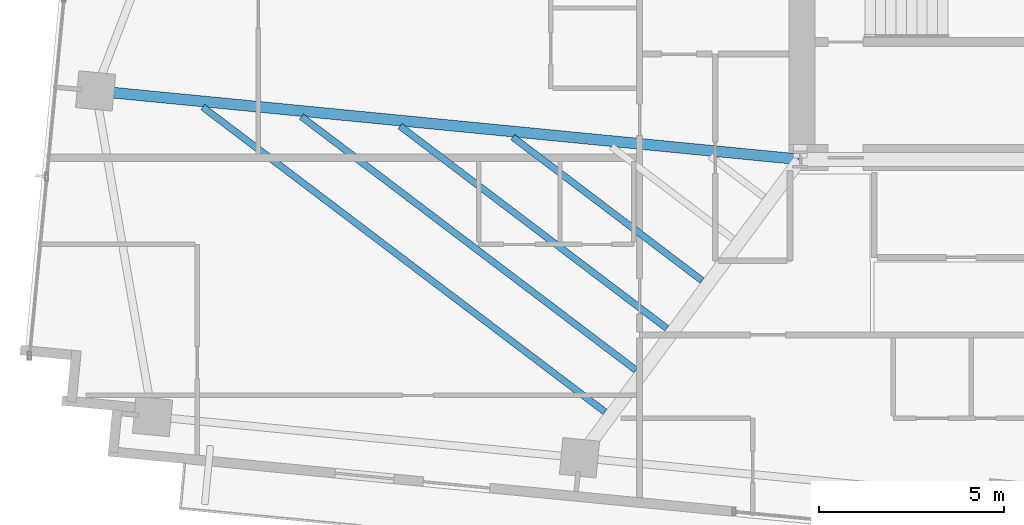
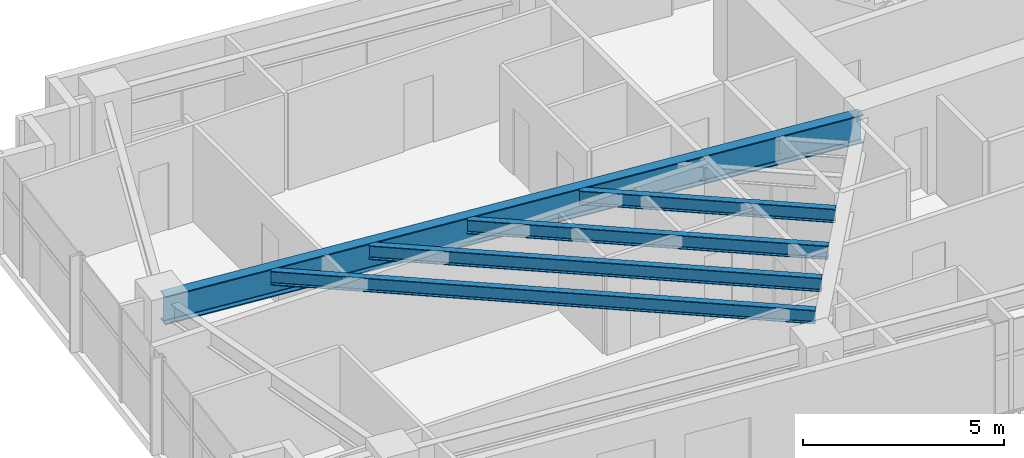
# One storey, part 3 of 20: 5 beams.
"""IFC4 building model written with IfcOpenShell, lengths in metres."""

from ifc_helpers import new_model, si_unit, direction, frame, origin, origin_2d, place, context, subcontext, project, spatial, i_section, extrude, source, transform, mapped, material, material_profile, profile_set, type_object, type_shapes, element, save


model = new_model("IFC4")

# Units and contexts
model_context = context("Model", 3, precision=1e-05, world=origin(), true_north=direction((0.0, 1.0)))
body_context = subcontext(model_context, "Body", "Model", "MODEL_VIEW")
ifc_project = project(units=[si_unit("LENGTHUNIT", "METRE"), si_unit("AREAUNIT", "SQUARE_METRE"), si_unit("VOLUMEUNIT", "CUBIC_METRE"), si_unit("PLANEANGLEUNIT", "RADIAN"), si_unit("MASSUNIT", "GRAM", prefix="KILO")], contexts=[model_context])

# Site, building, storey
site_placement = place(None, origin())
site = spatial("IfcSite", under=ifc_project, at=site_placement, CompositionType="ELEMENT")
building_placement = place(site_placement, origin())
building = spatial("IfcBuilding", under=site, at=building_placement, Name="Astriad Promenade Condominiums", CompositionType="ELEMENT")
storey_placement = place(building_placement, frame((0.0, 0.0, 131.0)))
storey = spatial("IfcBuildingStorey", under=building, at=storey_placement, Name="L37", CompositionType="ELEMENT", Elevation=131.0)

# Beams
ifc_material = material(Name="Steel ASTM A992 Grade 50", Category="steel")
ifc_material_profile_1 = material_profile(ifc_material, i_section(OverallWidth=0.2919921875, OverallDepth=0.85888671875, WebThickness=0.01708984375, FlangeThickness=0.031005859375, FilletRadius=0.02294921875, at=origin_2d()), Name="W33X169")
ifc_profile_set_1 = profile_set([ifc_material_profile_1], Name="Steel ASTM A992 Grade 50")
beam_type_1 = type_object("IfcBeamType", Name="STEEL PRIMARY GIRDER W33X169", PredefinedType="BEAM", material=ifc_profile_set_1)
shared_shape_1 = source(origin(), body_context, "Body", "SweptSolid", [
    extrude(i_section(OverallWidth=0.2919921875, OverallDepth=0.85888671875, WebThickness=0.01708984375, FlangeThickness=0.031005859375, FilletRadius=0.02294921875, at=origin_2d()), origin(), (0.0, 0.0, 1.0), 19.07177734375),
])
type_shapes(beam_type_1, [shared_shape_1])
beam_1_placement = place(storey_placement, frame((7.377685546875, 19.247802734375, 2.510498046875), z_axis=(0.995314830032, -0.096687068001, 0.0), x_axis=(0.096687068001, 0.995314830032, 0.0)))
element("IfcBeam", 1, at=beam_1_placement, inside=storey, type_object=beam_type_1, Name="Primary Floor Girder PG-WM-L37", PredefinedType="BEAM", context=body_context, shape_type="MappedRepresentation", body=[
    mapped(shared_shape_1, transform((0.0, 0.0, 0.0), scale=1.0)),
])
ifc_material_profile_2 = material_profile(ifc_material, i_section(OverallWidth=0.180908203125, OverallDepth=0.417236328125, WebThickness=0.010986328125, FlangeThickness=0.018310546875, FilletRadius=0.013916015625, at=origin_2d()), Name="W16X57")
ifc_profile_set_2 = profile_set([ifc_material_profile_2], Name="Steel ASTM A992 Grade 50")
beam_type_2 = type_object("IfcBeamType", Name="STEEL FLOOR JOIST W16X57", PredefinedType="JOIST", material=ifc_profile_set_2)
shared_shape_2 = source(origin(), body_context, "Body", "SweptSolid", [
    extrude(i_section(OverallWidth=0.180908203125, OverallDepth=0.417236328125, WebThickness=0.010986328125, FlangeThickness=0.018310546875, FilletRadius=0.013916015625, at=origin_2d()), origin(), (0.0, 0.0, 1.0), 13.64697265625),
])
beam_2_placement = place(storey_placement, frame((10.236572265625, 18.818115234375, 2.731201171875), z_axis=(0.796973667543, -0.604014050534, 0.0), x_axis=(0.604014050534, 0.796973667543, 0.0)))
element("IfcBeam", 2, at=beam_2_placement, inside=storey, type_object=beam_type_2, Name="Secondary Composite Floor Joist JW1-1-L37", PredefinedType="JOIST", context=body_context, shape_type="MappedRepresentation", body=[
    mapped(shared_shape_2, transform((0.0, 0.0, 0.0), scale=1.0)),
])
shared_shape_3 = source(origin(), body_context, "Body", "SweptSolid", [
    extrude(i_section(OverallWidth=0.180908203125, OverallDepth=0.417236328125, WebThickness=0.010986328125, FlangeThickness=0.018310546875, FilletRadius=0.013916015625, at=origin_2d()), origin(), (0.0, 0.0, 1.0), 11.347412109375),
])
beam_3_placement = place(storey_placement, frame((12.9052734375, 18.558837890625, 2.731201171875), z_axis=(0.796976964849, -0.60400969984, 0.0), x_axis=(0.60400969984, 0.796976964849, 0.0)))
element("IfcBeam", 3, at=beam_3_placement, inside=storey, type_object=beam_type_2, Name="Secondary Composite Floor Joist JW1-2-L37", PredefinedType="JOIST", context=body_context, shape_type="MappedRepresentation", body=[
    mapped(shared_shape_3, transform((0.0, 0.0, 0.0), scale=1.0)),
])
shared_shape_4 = source(origin(), body_context, "Body", "SweptSolid", [
    extrude(i_section(OverallWidth=0.180908203125, OverallDepth=0.417236328125, WebThickness=0.010986328125, FlangeThickness=0.018310546875, FilletRadius=0.013916015625, at=origin_2d()), origin(), (0.0, 0.0, 1.0), 9.048095703125),
])
beam_4_placement = place(storey_placement, frame((15.573974609375, 18.299560546875, 2.731201171875), z_axis=(0.796981937997, -0.604003137829, 0.0), x_axis=(0.604003137829, 0.796981937997, 0.0)))
element("IfcBeam", 4, at=beam_4_placement, inside=storey, type_object=beam_type_2, Name="Secondary Composite Floor Joist JW1-3-L37", PredefinedType="JOIST", context=body_context, shape_type="MappedRepresentation", body=[
    mapped(shared_shape_4, transform((0.0, 0.0, 0.0), scale=1.0)),
])
shared_shape_5 = source(origin(), body_context, "Body", "SweptSolid", [
    extrude(i_section(OverallWidth=0.180908203125, OverallDepth=0.417236328125, WebThickness=0.010986328125, FlangeThickness=0.018310546875, FilletRadius=0.013916015625, at=origin_2d()), origin(), (0.0, 0.0, 1.0), 6.420654296875),
])
type_shapes(beam_type_2, [shared_shape_2, shared_shape_3, shared_shape_4, shared_shape_5])
beam_5_placement = place(storey_placement, frame((18.6240234375, 18.00341796875, 2.731201171875), z_axis=(0.796964567146, -0.604026057976, 0.0), x_axis=(0.604026057976, 0.796964567146, 0.0)))
element("IfcBeam", 5, at=beam_5_placement, inside=storey, type_object=beam_type_2, Name="Secondary Composite Floor Joist JW1-4-L37", PredefinedType="JOIST", context=body_context, shape_type="MappedRepresentation", body=[
    mapped(shared_shape_5, transform((0.0, 0.0, 0.0), scale=1.0)),
])

save(model, "model.ifc")
